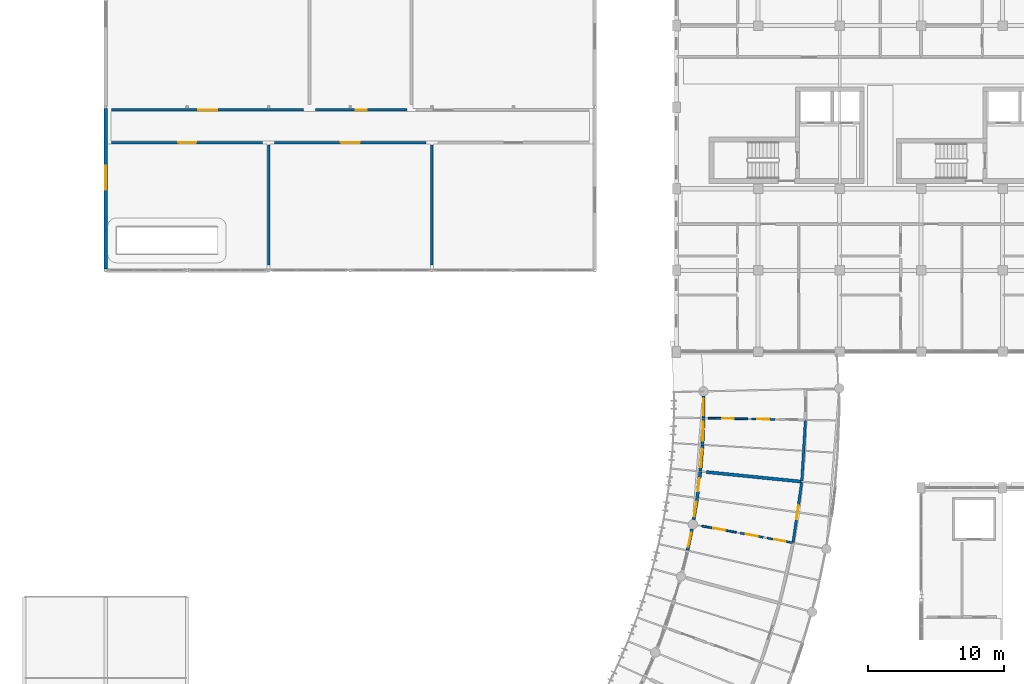
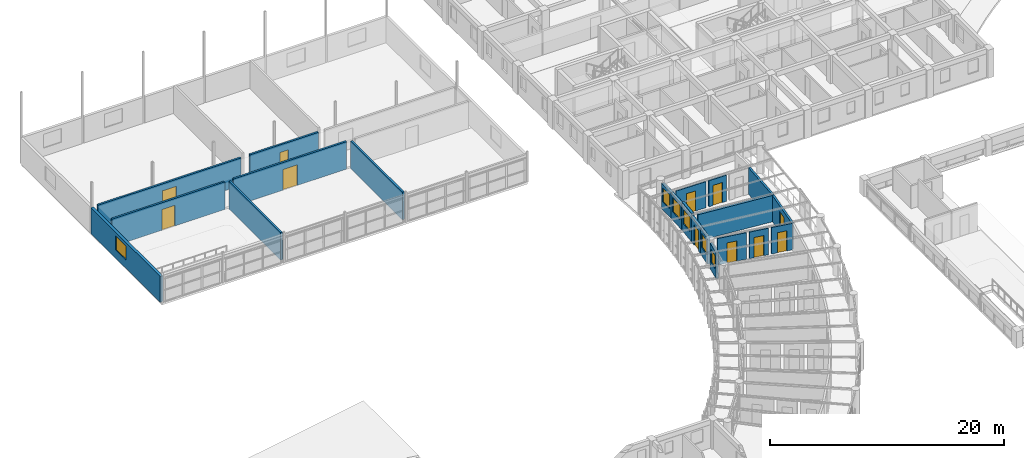
# One storey, part 99 of 137: 21 walls, 11 doors, 6 windows, 17 openings.
"""IFC4 building model written with IfcOpenShell, lengths in metres."""

from ifc_helpers import new_model, si_unit, direction, frame, frame_2d, origin, place, context, subcontext, project, spatial, rectangle, extrude, material, layer, layer_set, type_object, element, fill, save


model = new_model("IFC4")

# Units and contexts
model_context = context("Model", 3, precision=1e-05, world=origin(), true_north=direction((0.0, 1.0)))
body_context = subcontext(model_context, "Body", "Model", "MODEL_VIEW")
ifc_project = project(units=[si_unit("LENGTHUNIT", "METRE"), si_unit("AREAUNIT", "SQUARE_METRE"), si_unit("VOLUMEUNIT", "CUBIC_METRE"), si_unit("PLANEANGLEUNIT", "RADIAN"), si_unit("MASSUNIT", "GRAM", prefix="KILO"), si_unit("POWERUNIT", "WATT"), si_unit("THERMODYNAMICTEMPERATUREUNIT", "KELVIN")], contexts=[model_context])

# Site, building, storey
site_placement = place(None, origin())
site = spatial("IfcSite", under=ifc_project, at=site_placement, CompositionType="ELEMENT")
building_placement = place(site_placement, origin())
building = spatial("IfcBuilding", under=site, at=building_placement, Name="Ruvembo Vaulted Housing Court", CompositionType="ELEMENT")
storey_placement = place(building_placement, frame((0.0, 0.0, 4.5)))
storey = spatial("IfcBuildingStorey", under=building, at=storey_placement, Name="L01", CompositionType="ELEMENT", Elevation=4.5)

# Wall, opening, door
ifc_material_1 = material(Name="Concrete Blockwork 190", Category="masonry")
ifc_layer_1 = layer(ifc_material_1, 0.18994140625, Name="Concrete Blockwork 190")
ifc_layer_set_1 = layer_set([ifc_layer_1], Name="Concrete Blockwork 190")
wall_type_1 = type_object("IfcWallType", Name="WL-CORR-190", PredefinedType="SOLIDWALL", material=ifc_layer_set_1)
wall_1_placement = place(storey_placement, frame((6.43994140625, 93.39990234375, 0.0), z_axis=(0.0, 0.0, 1.0), x_axis=(1.0, 0.0, 0.0)))
wall_1 = element("IfcWall", 1, at=wall_1_placement, inside=storey, type_object=wall_type_1, Name="L01 Nursery Upper Movement Studio WL-INT-L01-00160", PredefinedType="SOLIDWALL", context=body_context, shape_type="SweptSolid", body=[
    extrude(rectangle(XDim=11.1201171875, YDim=0.18994140625, at=frame_2d((5.56005859375, 0.0))), origin(), (0.0, 0.0, 1.0), 2.8720703125),
])
opening_1_placement = place(wall_1_placement, frame((4.909912109375, 0.0, 0.0)))
opening_1 = element("IfcOpeningElement", 2, at=opening_1_placement, cuts=wall_1, Name="Opening CD2", PredefinedType="OPENING", context=body_context, shape_type="SweptSolid", body=[
    extrude(rectangle(XDim=1.300048828125, YDim=2.14990234375, at=frame_2d((0.64990234375, 1.074951171875))), frame((0.0, 0.10498046875, 0.0), z_axis=(0.0, -1.0, 0.0), x_axis=(1.0, 0.0, 0.0)), (0.0, 0.0, 1.0), 0.2099609375),
])
ifc_material_2 = material(Name="FSC Hardwood and Engineered Timber", Category="wood")
door_type_1 = type_object("IfcDoorType", Name="DR-CIVIC-1300x2150", OperationType="NOTDEFINED", PredefinedType="DOOR", material=ifc_material_2)
door_1_placement = place(opening_1_placement, origin())
door_1 = element("IfcDoor", 3, at=door_1_placement, inside=storey, type_object=door_type_1, Name="L01 Nursery Upper Movement Studio Door DR-INT-L01-00077", OperationType="SINGLE_SWING_LEFT", OverallHeight=2.14990234375, OverallWidth=1.300048828125, PredefinedType="DOOR", context=body_context, shape_type="SweptSolid", body=[
    extrude(rectangle(XDim=1.300048828125, YDim=2.14990234375, at=frame_2d((0.64990234375, 1.074951171875))), frame((0.0, 0.02490234375, 0.0), z_axis=(0.0, -1.0, 0.0), x_axis=(1.0, 0.0, 0.0)), (0.0, 0.0, 1.0), 0.050048828125),
])
fill(opening_1, door_1)

# Wall
wall_2_placement = place(storey_placement, frame((18.0, 84.389892578125, 0.0), z_axis=(0.0, 0.0, 1.0), x_axis=(0.0, 1.0, 0.0)))
element("IfcWall", 4, at=wall_2_placement, inside=storey, type_object=wall_type_1, Name="L01 Nursery Upper Movement Studio Div WL-INT-L01-00161", PredefinedType="SOLIDWALL", context=body_context, shape_type="SweptSolid", body=[
    extrude(rectangle(XDim=8.820068359375, YDim=0.18994140625, at=frame_2d((4.41015625, 0.0))), origin(), (0.0, 0.0, 1.0), 2.8720703125),
])

# Wall, opening, door
wall_3_placement = place(storey_placement, frame((18.43994140625, 93.39990234375, 0.0), z_axis=(0.0, 0.0, 1.0), x_axis=(1.0, 0.0, 0.0)))
wall_3 = element("IfcWall", 5, at=wall_3_placement, inside=storey, type_object=wall_type_1, Name="L01 Early Reading & Art Classroom WL-INT-L01-00162", PredefinedType="SOLIDWALL", context=body_context, shape_type="SweptSolid", body=[
    extrude(rectangle(XDim=11.1201171875, YDim=0.18994140625, at=frame_2d((5.56005859375, 0.0))), origin(), (0.0, 0.0, 1.0), 2.8720703125),
])
opening_2_placement = place(wall_3_placement, frame((4.860107421875, 0.0, 0.0)))
opening_2 = element("IfcOpeningElement", 6, at=opening_2_placement, cuts=wall_3, Name="Opening CD1", PredefinedType="OPENING", context=body_context, shape_type="SweptSolid", body=[
    extrude(rectangle(XDim=1.39990234375, YDim=2.14990234375, at=frame_2d((0.699951171875, 1.074951171875))), frame((0.0, 0.10498046875, 0.0), z_axis=(0.0, -1.0, 0.0), x_axis=(1.0, 0.0, 0.0)), (0.0, 0.0, 1.0), 0.2099609375),
])
door_type_2 = type_object("IfcDoorType", Name="DR-CIVIC-1400x2150", OperationType="NOTDEFINED", PredefinedType="DOOR", material=ifc_material_2)
door_2_placement = place(opening_2_placement, origin())
door_2 = element("IfcDoor", 7, at=door_2_placement, inside=storey, type_object=door_type_2, Name="L01 Early Reading & Art Classroom Door DR-INT-L01-00078", OperationType="SINGLE_SWING_RIGHT", OverallHeight=2.14990234375, OverallWidth=1.39990234375, PredefinedType="DOOR", context=body_context, shape_type="SweptSolid", body=[
    extrude(rectangle(XDim=1.39990234375, YDim=2.14990234375, at=frame_2d((0.699951171875, 1.074951171875))), frame((0.0, 0.02490234375, 0.0), z_axis=(0.0, -1.0, 0.0), x_axis=(1.0, 0.0, 0.0)), (0.0, 0.0, 1.0), 0.050048828125),
])
fill(opening_2, door_2)

# Wall
wall_4_placement = place(storey_placement, frame((30.0, 84.389892578125, 0.0), z_axis=(0.0, 0.0, 1.0), x_axis=(0.0, 1.0, 0.0)))
element("IfcWall", 8, at=wall_4_placement, inside=storey, type_object=wall_type_1, Name="L01 Early Reading & Art Classroom Div WL-INT-L01-00163", PredefinedType="SOLIDWALL", context=body_context, shape_type="SweptSolid", body=[
    extrude(rectangle(XDim=8.820068359375, YDim=0.18994140625, at=frame_2d((4.41015625, 0.0))), origin(), (0.0, 0.0, 1.0), 2.8720703125),
])

# Wall, opening, door
wall_5_placement = place(storey_placement, frame((6.43994140625, 95.800048828125, 0.0), z_axis=(0.0, 0.0, 1.0), x_axis=(1.0, 0.0, 0.0)))
wall_5 = element("IfcWall", 9, at=wall_5_placement, inside=storey, type_object=wall_type_1, Name="L01 Educators' Workroom and Clinic WL-INT-L01-00165", PredefinedType="SOLIDWALL", context=body_context, shape_type="SweptSolid", body=[
    extrude(rectangle(XDim=14.1201171875, YDim=0.18994140625, at=frame_2d((7.06005859375, 0.0))), origin(), (0.0, 0.0, 1.0), 2.8720703125),
])
opening_3_placement = place(wall_5_placement, frame((6.360107421875, 0.0, 0.0)))
opening_3 = element("IfcOpeningElement", 10, at=opening_3_placement, cuts=wall_5, Name="Opening CD1", PredefinedType="OPENING", context=body_context, shape_type="SweptSolid", body=[
    extrude(rectangle(XDim=1.39990234375, YDim=2.14990234375, at=frame_2d((0.699951171875, 1.074951171875))), frame((0.0, 0.10498046875, 0.0), z_axis=(0.0, -1.0, 0.0), x_axis=(1.0, 0.0, 0.0)), (0.0, 0.0, 1.0), 0.2099609375),
])
door_3_placement = place(opening_3_placement, origin())
door_3 = element("IfcDoor", 11, at=door_3_placement, inside=storey, type_object=door_type_2, Name="L01 Educators' Workroom and Clinic Door DR-INT-L01-00080", OperationType="SINGLE_SWING_RIGHT", OverallHeight=2.14990234375, OverallWidth=1.39990234375, PredefinedType="DOOR", context=body_context, shape_type="SweptSolid", body=[
    extrude(rectangle(XDim=1.39990234375, YDim=2.14990234375, at=frame_2d((0.699951171875, 1.074951171875))), frame((0.0, 0.02490234375, 0.0), z_axis=(0.0, -1.0, 0.0), x_axis=(1.0, 0.0, 0.0)), (0.0, 0.0, 1.0), 0.050048828125),
])
fill(opening_3, door_3)

wall_6_placement = place(storey_placement, frame((21.43994140625, 95.800048828125, 0.0), z_axis=(0.0, 0.0, 1.0), x_axis=(1.0, 0.0, 0.0)))
wall_6 = element("IfcWall", 12, at=wall_6_placement, inside=storey, type_object=wall_type_1, Name="L01 Staff Accessible WC WL-INT-L01-00167", PredefinedType="SOLIDWALL", context=body_context, shape_type="SweptSolid", body=[
    extrude(rectangle(XDim=6.719970703125, YDim=0.18994140625, at=frame_2d((3.35986328125, 0.0))), origin(), (0.0, 0.0, 1.0), 2.8720703125),
])
opening_4_placement = place(wall_6_placement, frame((2.949951171875, 0.0, 0.0)))
opening_4 = element("IfcOpeningElement", 13, at=opening_4_placement, cuts=wall_6, Name="Opening ID4", PredefinedType="OPENING", context=body_context, shape_type="SweptSolid", body=[
    extrude(rectangle(XDim=0.820068359375, YDim=2.080078125, at=frame_2d((0.41015625, 1.0400390625))), frame((0.0, 0.10498046875, 0.0), z_axis=(0.0, -1.0, 0.0), x_axis=(1.0, 0.0, 0.0)), (0.0, 0.0, 1.0), 0.2099609375),
])
door_type_3 = type_object("IfcDoorType", Name="DR-WET-0820x2080", OperationType="NOTDEFINED", PredefinedType="DOOR", material=ifc_material_2)
door_4_placement = place(opening_4_placement, origin())
door_4 = element("IfcDoor", 14, at=door_4_placement, inside=storey, type_object=door_type_3, Name="L01 Staff Accessible WC Door DR-INT-L01-00081", OperationType="SINGLE_SWING_LEFT", OverallHeight=2.080078125, OverallWidth=0.820068359375, PredefinedType="DOOR", context=body_context, shape_type="SweptSolid", body=[
    extrude(rectangle(XDim=0.820068359375, YDim=2.080078125, at=frame_2d((0.41015625, 1.0400390625))), frame((0.0, 0.02490234375, 0.0), z_axis=(0.0, -1.0, 0.0), x_axis=(1.0, 0.0, 0.0)), (0.0, 0.0, 1.0), 0.050048828125),
])
fill(opening_4, door_4)

wall_7_placement = place(storey_placement, frame((56.587646484375, 63.98779296875, 0.0), z_axis=(0.0, 0.0, 1.0), x_axis=(0.140732688284, 0.990047630394, 0.0)))
wall_7 = element("IfcWall", 15, at=wall_7_placement, inside=storey, type_object=wall_type_1, Name="L01 Suite SC1-L01-U4 Entrance WL-INT-L01-00389", PredefinedType="SOLIDWALL", context=body_context, shape_type="SweptSolid", body=[
    extrude(rectangle(XDim=4.467041015625, YDim=0.18994140625, at=frame_2d((2.2333984375, 0.0))), origin(), (0.0, 0.0, 1.0), 2.721923828125),
])
opening_5_placement = place(wall_7_placement, frame((1.70849609375, 0.0, 0.0)))
opening_5 = element("IfcOpeningElement", 16, at=opening_5_placement, cuts=wall_7, Name="Opening FD3", PredefinedType="OPENING", context=body_context, shape_type="SweptSolid", body=[
    extrude(rectangle(XDim=1.050048828125, YDim=2.14990234375, at=frame_2d((0.52490234375, 1.074951171875))), frame((0.0, 0.10498046875, 0.0), z_axis=(0.0, -1.0, 0.0), x_axis=(1.0, 0.0, 0.0)), (0.0, 0.0, 1.0), 0.2099609375),
])
door_type_4 = type_object("IfcDoorType", Name="DR-FLAT-1050x2150", OperationType="NOTDEFINED", PredefinedType="DOOR", material=ifc_material_2)
door_5_placement = place(opening_5_placement, origin())
door_5 = element("IfcDoor", 17, at=door_5_placement, inside=storey, type_object=door_type_4, Name="L01 Suite SC1-L01-U4 Entrance Door DR-INT-L01-00200", OperationType="SINGLE_SWING_RIGHT", OverallHeight=2.14990234375, OverallWidth=1.050048828125, PredefinedType="DOOR", context=body_context, shape_type="SweptSolid", body=[
    extrude(rectangle(XDim=1.050048828125, YDim=2.14990234375, at=frame_2d((0.52490234375, 1.074951171875))), frame((0.0, 0.02490234375, 0.0), z_axis=(0.0, -1.0, 0.0), x_axis=(1.0, 0.0, 0.0)), (0.0, 0.0, 1.0), 0.050048828125),
])
fill(opening_5, door_5)

# Walls
wall_8_placement = place(storey_placement, frame((57.22412109375, 68.489990234375, 0.0), z_axis=(0.0, 0.0, 1.0), x_axis=(0.059132085895, 0.998250167252, 0.0)))
element("IfcWall", 18, at=wall_8_placement, inside=storey, type_object=wall_type_1, Name="L01 Suite SC1-L01-U5 Gallery Wall WL-INT-L01-00394", PredefinedType="SOLIDWALL", context=body_context, shape_type="SweptSolid", body=[
    extrude(rectangle(XDim=4.46728515625, YDim=0.18994140625, at=frame_2d((2.233642578125, 0.0))), origin(), (0.0, 0.0, 1.0), 2.761962890625),
])
ifc_material_3 = material(Name="Acoustic Masonry Demising 230", Category="masonry")
ifc_layer_2 = layer(ifc_material_3, 0.22998046875, Name="Acoustic Masonry Demising 230")
ifc_layer_set_2 = layer_set([ifc_layer_2], Name="Acoustic Masonry Demising 230")
wall_type_2 = type_object("IfcWallType", Name="WL-DEM-230", PredefinedType="SOLIDWALL", material=ifc_layer_set_2)
wall_9_placement = place(storey_placement, frame((50.197265625, 69.156005859375, 0.0), z_axis=(0.0, 0.0, 1.0), x_axis=(0.994988519083, -0.09998923389, 0.0)))
element("IfcWall", 19, at=wall_9_placement, inside=storey, type_object=wall_type_2, Name="L01 Suite SC1-L01-U4 Demising WL-INT-L01-00393", PredefinedType="SOLIDWALL", context=body_context, shape_type="SweptSolid", body=[
    extrude(rectangle(XDim=7.019775390625, YDim=0.22998046875, at=frame_2d((3.509765625, 0.0))), origin(), (0.0, 0.0, 1.0), 2.741943359375),
])

# Wall, opening, window
ifc_material_4 = material(Name="Rendered Masonry 235", Category="masonry")
ifc_layer_3 = layer(ifc_material_4, 0.235107421875, Name="Rendered Masonry 235")
ifc_layer_set_3 = layer_set([ifc_layer_3], Name="Rendered Masonry 235")
wall_type_3 = type_object("IfcWallType", Name="WL-EXT-235", PredefinedType="STANDARD", material=ifc_layer_set_3)
wall_10_placement = place(storey_placement, frame((48.814453125, 63.3994140625, 0.0), z_axis=(0.0, 0.0, 1.0), x_axis=(0.201199946108, 0.979550193551, 0.0)))
wall_10 = element("IfcWall", 20, at=wall_10_placement, inside=storey, type_object=wall_type_3, Name="Scoop SC1 L01 Concave Balcony Wall 13", PredefinedType="STANDARD", context=body_context, shape_type="SweptSolid", body=[
    extrude(rectangle(XDim=1.596923828125, YDim=0.235107421875, at=frame_2d((0.79833984375, 0.0))), origin(), (0.0, 0.0, 1.0), 2.68408203125),
])
opening_6_placement = place(wall_10_placement, frame((0.2734375, 0.0, 0.85009765625)))
opening_6 = element("IfcOpeningElement", 21, at=opening_6_placement, cuts=wall_10, Name="Opening W09", PredefinedType="OPENING", context=body_context, shape_type="SweptSolid", body=[
    extrude(rectangle(XDim=1.050048828125, YDim=1.35009765625, at=frame_2d((0.52490234375, 0.675048828125))), frame((0.0, 0.12744140625, 0.0), z_axis=(0.0, -1.0, 0.0), x_axis=(1.0, 0.0, 0.0)), (0.0, 0.0, 1.0), 0.255126953125),
])
ifc_material_5 = material(Name="Double Solar-Control Glazing in Aluminium Frame", Category="aluminium")
window_type_1 = type_object("IfcWindowType", Name="WIN-1050x1350", PartitioningType="SINGLE_PANEL", PredefinedType="WINDOW", material=ifc_material_5)
window_1_placement = place(opening_6_placement, origin())
window_1 = element("IfcWindow", 22, at=window_1_placement, inside=storey, type_object=window_type_1, Name="Scoop SC1 L01 Concave Window 13", OverallHeight=1.35009765625, OverallWidth=1.050048828125, PartitioningType="SINGLE_PANEL", PredefinedType="WINDOW", context=body_context, shape_type="SweptSolid", body=[
    extrude(rectangle(XDim=1.050048828125, YDim=1.35009765625, at=frame_2d((0.52490234375, 0.675048828125))), frame((0.0, 0.030029296875, 0.0), z_axis=(0.0, -1.0, 0.0), x_axis=(1.0, 0.0, 0.0)), (0.0, 0.0, 1.0), 0.06005859375),
])
fill(opening_6, window_1)

wall_11_placement = place(storey_placement, frame((49.262451171875, 65.65185546875, 0.0), z_axis=(0.0, 0.0, 1.0), x_axis=(0.16100120568, 0.986954209561, 0.0)))
wall_11 = element("IfcWall", 23, at=wall_11_placement, inside=storey, type_object=wall_type_3, Name="Scoop SC1 L01 Concave Balcony Wall 14", PredefinedType="STANDARD", context=body_context, shape_type="SweptSolid", body=[
    extrude(rectangle(XDim=1.5966796875, YDim=0.235107421875, at=frame_2d((0.79833984375, 0.0))), origin(), (0.0, 0.0, 1.0), 2.68408203125),
])
opening_7_placement = place(wall_11_placement, frame((0.24853515625, 0.0, 0.85009765625)))
opening_7 = element("IfcOpeningElement", 24, at=opening_7_placement, cuts=wall_11, Name="Opening W10", PredefinedType="OPENING", context=body_context, shape_type="SweptSolid", body=[
    extrude(rectangle(XDim=1.10009765625, YDim=1.449951171875, at=frame_2d((0.550048828125, 0.72509765625))), frame((0.0, 0.12744140625, 0.0), z_axis=(0.0, -1.0, 0.0), x_axis=(1.0, 0.0, 0.0)), (0.0, 0.0, 1.0), 0.255126953125),
])
window_type_2 = type_object("IfcWindowType", Name="WIN-1100x1450", PartitioningType="SINGLE_PANEL", PredefinedType="WINDOW", material=ifc_material_5)
window_2_placement = place(opening_7_placement, origin())
window_2 = element("IfcWindow", 25, at=window_2_placement, inside=storey, type_object=window_type_2, Name="Scoop SC1 L01 Concave Window 14", OverallHeight=1.449951171875, OverallWidth=1.10009765625, PartitioningType="SINGLE_PANEL", PredefinedType="WINDOW", context=body_context, shape_type="SweptSolid", body=[
    extrude(rectangle(XDim=1.10009765625, YDim=1.449951171875, at=frame_2d((0.550048828125, 0.72509765625))), frame((0.0, 0.030029296875, 0.0), z_axis=(0.0, -1.0, 0.0), x_axis=(1.0, 0.0, 0.0)), (0.0, 0.0, 1.0), 0.06005859375),
])
fill(opening_7, window_2)

# Wall, opening, door
wall_12_placement = place(storey_placement, frame((49.525146484375, 67.267578125, 0.0), z_axis=(0.0, 0.0, 1.0), x_axis=(0.120384349076, 0.992727358592, 0.0)))
wall_12 = element("IfcWall", 26, at=wall_12_placement, inside=storey, type_object=wall_type_3, Name="Scoop SC1 L01 Concave Balcony Wall 15", PredefinedType="STANDARD", context=body_context, shape_type="SweptSolid", body=[
    extrude(rectangle(XDim=1.926513671875, YDim=0.235107421875, at=frame_2d((0.96337890625, 0.0))), origin(), (0.0, 0.0, 1.0), 2.68408203125),
])
opening_8_placement = place(wall_12_placement, frame((0.48828125, 0.0, 0.0)))
opening_8 = element("IfcOpeningElement", 27, at=opening_8_placement, cuts=wall_12, Name="Opening BD0", PredefinedType="OPENING", context=body_context, shape_type="SweptSolid", body=[
    extrude(rectangle(XDim=0.949951171875, YDim=2.1201171875, at=frame_2d((0.47509765625, 1.06005859375))), frame((0.0, 0.12744140625, 0.0), z_axis=(0.0, -1.0, 0.0), x_axis=(1.0, 0.0, 0.0)), (0.0, 0.0, 1.0), 0.255126953125),
])
ifc_material_6 = material(Name="Thermally Broken Glazed Aluminium", Category="aluminium")
door_type_5 = type_object("IfcDoorType", Name="DR-BAL-0950x2120", OperationType="NOTDEFINED", PredefinedType="DOOR", material=ifc_material_6)
door_6_placement = place(opening_8_placement, origin())
door_6 = element("IfcDoor", 28, at=door_6_placement, inside=storey, type_object=door_type_5, Name="Scoop SC1 L01 Balcony Door 15", OperationType="SINGLE_SWING_LEFT", OverallHeight=2.1201171875, OverallWidth=0.949951171875, PredefinedType="DOOR", context=body_context, shape_type="SweptSolid", body=[
    extrude(rectangle(XDim=0.949951171875, YDim=2.1201171875, at=frame_2d((0.47509765625, 1.06005859375))), frame((0.0, 0.02490234375, 0.0), z_axis=(0.0, -1.0, 0.0), x_axis=(1.0, 0.0, 0.0)), (0.0, 0.0, 1.0), 0.050048828125),
])
fill(opening_8, door_6)

# Wall, opening, window
wall_13_placement = place(storey_placement, frame((49.760986328125, 69.219970703125, 0.0), z_axis=(0.0, 0.0, 1.0), x_axis=(0.079573991137, 0.996828962227, 0.0)))
wall_13 = element("IfcWall", 29, at=wall_13_placement, inside=storey, type_object=wall_type_3, Name="Scoop SC1 L01 Concave Balcony Wall 16", PredefinedType="STANDARD", context=body_context, shape_type="SweptSolid", body=[
    extrude(rectangle(XDim=1.9267578125, YDim=0.235107421875, at=frame_2d((0.96337890625, 0.0))), origin(), (0.0, 0.0, 1.0), 2.947998046875),
])
opening_9_placement = place(wall_13_placement, frame((0.28857421875, 0.0, 0.85009765625)))
opening_9 = element("IfcOpeningElement", 30, at=opening_9_placement, cuts=wall_13, Name="Opening W16", PredefinedType="OPENING", context=body_context, shape_type="SweptSolid", body=[
    extrude(rectangle(XDim=1.35009765625, YDim=1.5, at=frame_2d((0.675048828125, 0.75))), frame((0.0, 0.12744140625, 0.0), z_axis=(0.0, -1.0, 0.0), x_axis=(1.0, 0.0, 0.0)), (0.0, 0.0, 1.0), 0.255126953125),
])
window_type_3 = type_object("IfcWindowType", Name="WIN-1350x1500", PartitioningType="SINGLE_PANEL", PredefinedType="WINDOW", material=ifc_material_5)
window_3_placement = place(opening_9_placement, origin())
window_3 = element("IfcWindow", 31, at=window_3_placement, inside=storey, type_object=window_type_3, Name="Scoop SC1 L01 Concave Window 16", OverallHeight=1.5, OverallWidth=1.35009765625, PartitioningType="SINGLE_PANEL", PredefinedType="WINDOW", context=body_context, shape_type="SweptSolid", body=[
    extrude(rectangle(XDim=1.35009765625, YDim=1.5, at=frame_2d((0.675048828125, 0.75))), frame((0.0, 0.030029296875, 0.0), z_axis=(0.0, -1.0, 0.0), x_axis=(1.0, 0.0, 0.0)), (0.0, 0.0, 1.0), 0.06005859375),
])
fill(opening_9, window_3)

wall_14_placement = place(storey_placement, frame((49.916748046875, 71.1806640625, 0.0), z_axis=(0.0, 0.0, 1.0), x_axis=(0.038647240614, 0.999252916329, 0.0)))
wall_14 = element("IfcWall", 32, at=wall_14_placement, inside=storey, type_object=wall_type_3, Name="Scoop SC1 L01 Concave Balcony Wall 17", PredefinedType="STANDARD", context=body_context, shape_type="SweptSolid", body=[
    extrude(rectangle(XDim=1.9267578125, YDim=0.235107421875, at=frame_2d((0.96337890625, 0.0))), origin(), (0.0, 0.0, 1.0), 2.68408203125),
])
opening_10_placement = place(wall_14_placement, frame((0.263427734375, 0.0, 0.85009765625)))
opening_10 = element("IfcOpeningElement", 33, at=opening_10_placement, cuts=wall_14, Name="Opening W17", PredefinedType="OPENING", context=body_context, shape_type="SweptSolid", body=[
    extrude(rectangle(XDim=1.39990234375, YDim=1.5, at=frame_2d((0.699951171875, 0.75))), frame((0.0, 0.12744140625, 0.0), z_axis=(0.0, -1.0, 0.0), x_axis=(1.0, 0.0, 0.0)), (0.0, 0.0, 1.0), 0.255126953125),
])
window_type_4 = type_object("IfcWindowType", Name="WIN-1400x1500", PartitioningType="SINGLE_PANEL", PredefinedType="WINDOW", material=ifc_material_5)
window_4_placement = place(opening_10_placement, origin())
window_4 = element("IfcWindow", 34, at=window_4_placement, inside=storey, type_object=window_type_4, Name="Scoop SC1 L01 Concave Window 17", OverallHeight=1.5, OverallWidth=1.39990234375, PartitioningType="SINGLE_PANEL", PredefinedType="WINDOW", context=body_context, shape_type="SweptSolid", body=[
    extrude(rectangle(XDim=1.39990234375, YDim=1.5, at=frame_2d((0.699951171875, 0.75))), frame((0.0, 0.030029296875, 0.0), z_axis=(0.0, -1.0, 0.0), x_axis=(1.0, 0.0, 0.0)), (0.0, 0.0, 1.0), 0.06005859375),
])
fill(opening_10, window_4)

wall_15_placement = place(storey_placement, frame((49.991943359375, 73.14599609375, 0.0), z_axis=(0.0, 0.0, 1.0), x_axis=(-0.002293571949, 0.99999736976, 0.0)))
wall_15 = element("IfcWall", 35, at=wall_15_placement, inside=storey, type_object=wall_type_3, Name="Scoop SC1 L01 Concave Balcony Wall 18", PredefinedType="STANDARD", context=body_context, shape_type="SweptSolid", body=[
    extrude(rectangle(XDim=1.5966796875, YDim=0.235107421875, at=frame_2d((0.79833984375, 0.0))), origin(), (0.0, 0.0, 1.0), 2.68408203125),
])
opening_11_placement = place(wall_15_placement, frame((0.198486328125, 0.0, 0.85009765625)))
opening_11 = element("IfcOpeningElement", 36, at=opening_11_placement, cuts=wall_15, Name="Opening W13", PredefinedType="OPENING", context=body_context, shape_type="SweptSolid", body=[
    extrude(rectangle(XDim=1.199951171875, YDim=1.449951171875, at=frame_2d((0.60009765625, 0.72509765625))), frame((0.0, 0.12744140625, 0.0), z_axis=(0.0, -1.0, 0.0), x_axis=(1.0, 0.0, 0.0)), (0.0, 0.0, 1.0), 0.255126953125),
])
window_type_5 = type_object("IfcWindowType", Name="WIN-1200x1450", PartitioningType="SINGLE_PANEL", PredefinedType="WINDOW", material=ifc_material_5)
window_5_placement = place(opening_11_placement, origin())
window_5 = element("IfcWindow", 37, at=window_5_placement, inside=storey, type_object=window_type_5, Name="Scoop SC1 L01 Concave Window 18", OverallHeight=1.449951171875, OverallWidth=1.199951171875, PartitioningType="SINGLE_PANEL", PredefinedType="WINDOW", context=body_context, shape_type="SweptSolid", body=[
    extrude(rectangle(XDim=1.199951171875, YDim=1.449951171875, at=frame_2d((0.60009765625, 0.72509765625))), frame((0.0, 0.030029296875, 0.0), z_axis=(0.0, -1.0, 0.0), x_axis=(1.0, 0.0, 0.0)), (0.0, 0.0, 1.0), 0.06005859375),
])
fill(opening_11, window_5)

ifc_material_7 = material(Name="Rendered Masonry 260", Category="masonry")
ifc_layer_4 = layer(ifc_material_7, 0.260009765625, Name="Rendered Masonry 260")
ifc_layer_set_4 = layer_set([ifc_layer_4], Name="Rendered Masonry 260")
wall_type_4 = type_object("IfcWallType", Name="WL-EXT-260", PredefinedType="STANDARD", material=ifc_layer_set_4)
wall_16_placement = place(storey_placement, frame((6.0, 95.909912109375, 0.0), z_axis=(0.0, 0.0, 1.0), x_axis=(0.0, -1.0, 0.0)))
wall_16 = element("IfcWall", 38, at=wall_16_placement, inside=storey, type_object=wall_type_4, Name="Nursery W Wall L01 #1", PredefinedType="STANDARD", context=body_context, shape_type="SweptSolid", body=[
    extrude(rectangle(XDim=11.81982421875, YDim=0.260009765625, at=frame_2d((5.909912109375, 0.0))), origin(), (0.0, 0.0, 1.0), 2.699951171875),
])
opening_12_placement = place(wall_16_placement, frame((4.199951171875, 0.0, 0.85009765625)))
opening_12 = element("IfcOpeningElement", 39, at=opening_12_placement, cuts=wall_16, Name="Opening W22", PredefinedType="OPENING", context=body_context, shape_type="SweptSolid", body=[
    extrude(rectangle(XDim=1.800048828125, YDim=1.449951171875, at=frame_2d((0.89990234375, 0.72509765625))), frame((0.0, 0.139892578125, 0.0), z_axis=(0.0, -1.0, 0.0), x_axis=(1.0, 0.0, 0.0)), (0.0, 0.0, 1.0), 0.280029296875),
])
window_type_6 = type_object("IfcWindowType", Name="WIN-1800x1450", PartitioningType="SINGLE_PANEL", PredefinedType="WINDOW", material=ifc_material_5)
window_6_placement = place(opening_12_placement, origin())
window_6 = element("IfcWindow", 40, at=window_6_placement, inside=storey, type_object=window_type_6, Name="Nursery W Window L01 #1", OverallHeight=1.449951171875, OverallWidth=1.800048828125, PartitioningType="SINGLE_PANEL", PredefinedType="WINDOW", context=body_context, shape_type="SweptSolid", body=[
    extrude(rectangle(XDim=1.800048828125, YDim=1.449951171875, at=frame_2d((0.89990234375, 0.72509765625))), frame((0.0, 0.030029296875, 0.0), z_axis=(0.0, -1.0, 0.0), x_axis=(1.0, 0.0, 0.0)), (0.0, 0.0, 1.0), 0.06005859375),
])
fill(opening_12, window_6)

# Wall, opening, door
ifc_material_8 = material(Name="Acoustic Stud Partition 135", Category="gypsum")
ifc_layer_5 = layer(ifc_material_8, 0.135009765625, Name="Acoustic Stud Partition 135")
ifc_layer_set_5 = layer_set([ifc_layer_5], Name="Acoustic Stud Partition 135")
wall_type_5 = type_object("IfcWallType", Name="WL-PART-135", PredefinedType="PARTITIONING", material=ifc_layer_set_5)
wall_17_placement = place(storey_placement, frame((49.855224609375, 65.18701171875, 0.0), z_axis=(0.0, 0.0, 1.0), x_axis=(0.983443502225, -0.181215004706, 0.0)))
wall_17 = element("IfcWall", 41, at=wall_17_placement, inside=storey, type_object=wall_type_5, Name="L01 Suite SC1-L01-U4 Bedroom WL-INT-L01-00390", PredefinedType="PARTITIONING", context=body_context, shape_type="SweptSolid", body=[
    extrude(rectangle(XDim=2.60009765625, YDim=0.135009765625, at=frame_2d((1.300048828125, 0.0))), origin(), (0.0, 0.0, 1.0), 2.761962890625),
])
opening_13_placement = place(wall_17_placement, frame((0.860107421875, 0.0, 0.0)))
opening_13 = element("IfcOpeningElement", 42, at=opening_13_placement, cuts=wall_17, Name="Opening ID3", PredefinedType="OPENING", context=body_context, shape_type="SweptSolid", body=[
    extrude(rectangle(XDim=0.8798828125, YDim=2.10009765625, at=frame_2d((0.43994140625, 1.050048828125))), frame((0.0, 0.077392578125, 0.0), z_axis=(0.0, -1.0, 0.0), x_axis=(1.0, 0.0, 0.0)), (0.0, 0.0, 1.0), 0.155029296875),
])
door_type_6 = type_object("IfcDoorType", Name="DR-ROOM-0880x2100", OperationType="NOTDEFINED", PredefinedType="DOOR", material=ifc_material_2)
door_7_placement = place(opening_13_placement, origin())
door_7 = element("IfcDoor", 43, at=door_7_placement, inside=storey, type_object=door_type_6, Name="L01 Suite SC1-L01-U4 Bedroom Door DR-INT-L01-00201", OperationType="SINGLE_SWING_LEFT", OverallHeight=2.10009765625, OverallWidth=0.8798828125, PredefinedType="DOOR", context=body_context, shape_type="SweptSolid", body=[
    extrude(rectangle(XDim=0.8798828125, YDim=2.10009765625, at=frame_2d((0.43994140625, 1.050048828125))), frame((0.0, 0.02490234375, 0.0), z_axis=(0.0, -1.0, 0.0), x_axis=(1.0, 0.0, 0.0)), (0.0, 0.0, 1.0), 0.050048828125),
])
fill(opening_13, door_7)

wall_18_placement = place(storey_placement, frame((50.33203125, 73.11962890625, 0.0), z_axis=(0.0, 0.0, 1.0), x_axis=(0.999833866331, -0.018227444628, 0.0)))
wall_18 = element("IfcWall", 44, at=wall_18_placement, inside=storey, type_object=wall_type_5, Name="L01 Suite SC1-L01-U5 Bedroom WL-INT-L01-00396", PredefinedType="PARTITIONING", context=body_context, shape_type="SweptSolid", body=[
    extrude(rectangle(XDim=2.919921875, YDim=0.135009765625, at=frame_2d((1.4599609375, 0.0))), origin(), (0.0, 0.0, 1.0), 2.721923828125),
])
opening_14_placement = place(wall_18_placement, frame((1.02001953125, 0.0, 0.0)))
opening_14 = element("IfcOpeningElement", 45, at=opening_14_placement, cuts=wall_18, Name="Opening ID3", PredefinedType="OPENING", context=body_context, shape_type="SweptSolid", body=[
    extrude(rectangle(XDim=0.8798828125, YDim=2.10009765625, at=frame_2d((0.43994140625, 1.050048828125))), frame((0.0, 0.077392578125, 0.0), z_axis=(0.0, -1.0, 0.0), x_axis=(1.0, 0.0, 0.0)), (0.0, 0.0, 1.0), 0.155029296875),
])
door_8_placement = place(opening_14_placement, origin())
door_8 = element("IfcDoor", 46, at=door_8_placement, inside=storey, type_object=door_type_6, Name="L01 Suite SC1-L01-U5 Bedroom Door DR-INT-L01-00205", OperationType="SINGLE_SWING_LEFT", OverallHeight=2.10009765625, OverallWidth=0.8798828125, PredefinedType="DOOR", context=body_context, shape_type="SweptSolid", body=[
    extrude(rectangle(XDim=0.8798828125, YDim=2.10009765625, at=frame_2d((0.43994140625, 1.050048828125))), frame((0.0, 0.02490234375, 0.0), z_axis=(0.0, -1.0, 0.0), x_axis=(1.0, 0.0, 0.0)), (0.0, 0.0, 1.0), 0.050048828125),
])
fill(opening_14, door_8)

ifc_material_9 = material(Name="Moisture-Resistant Wet Partition 150", Category="gypsum")
ifc_layer_6 = layer(ifc_material_9, 0.14990234375, Name="Moisture-Resistant Wet Partition 150")
ifc_layer_set_6 = layer_set([ifc_layer_6], Name="Moisture-Resistant Wet Partition 150")
wall_type_6 = type_object("IfcWallType", Name="WL-PART-150", PredefinedType="PARTITIONING", material=ifc_layer_set_6)
wall_19_placement = place(storey_placement, frame((54.654541015625, 64.302978515625, 0.0), z_axis=(0.0, 0.0, 1.0), x_axis=(0.983468686283, -0.181078278933, 0.0)))
wall_19 = element("IfcWall", 47, at=wall_19_placement, inside=storey, type_object=wall_type_6, Name="L01 Suite SC1-L01-U4 Bathroom WL-INT-L01-00392", PredefinedType="PARTITIONING", context=body_context, shape_type="SweptSolid", body=[
    extrude(rectangle(XDim=1.919921875, YDim=0.14990234375, at=frame_2d((0.9599609375, 0.0))), origin(), (0.0, 0.0, 1.0), 2.761962890625),
])
opening_15_placement = place(wall_19_placement, frame((0.534912109375, 0.0, 0.0)))
opening_15 = element("IfcOpeningElement", 48, at=opening_15_placement, cuts=wall_19, Name="Opening ID2", PredefinedType="OPENING", context=body_context, shape_type="SweptSolid", body=[
    extrude(rectangle(XDim=0.85009765625, YDim=2.10009765625, at=frame_2d((0.425048828125, 1.050048828125))), frame((0.0, 0.0849609375, 0.0), z_axis=(0.0, -1.0, 0.0), x_axis=(1.0, 0.0, 0.0)), (0.0, 0.0, 1.0), 0.169921875),
])
door_type_7 = type_object("IfcDoorType", Name="DR-WET-0850x2100", OperationType="NOTDEFINED", PredefinedType="DOOR", material=ifc_material_2)
door_9_placement = place(opening_15_placement, origin())
door_9 = element("IfcDoor", 49, at=door_9_placement, inside=storey, type_object=door_type_7, Name="L01 Suite SC1-L01-U4 Bathroom Door DR-INT-L01-00203", OperationType="SINGLE_SWING_LEFT", OverallHeight=2.10009765625, OverallWidth=0.85009765625, PredefinedType="DOOR", context=body_context, shape_type="SweptSolid", body=[
    extrude(rectangle(XDim=0.85009765625, YDim=2.10009765625, at=frame_2d((0.425048828125, 1.050048828125))), frame((0.0, 0.02490234375, 0.0), z_axis=(0.0, -1.0, 0.0), x_axis=(1.0, 0.0, 0.0)), (0.0, 0.0, 1.0), 0.050048828125),
])
fill(opening_15, door_9)

ifc_material_10 = material(Name="Acoustic Service Chase Wall 160", Category="gypsum")
ifc_layer_7 = layer(ifc_material_10, 0.159912109375, Name="Acoustic Service Chase Wall 160")
ifc_layer_set_7 = layer_set([ifc_layer_7], Name="Acoustic Service Chase Wall 160")
wall_type_7 = type_object("IfcWallType", Name="WL-PLUMB-160", PredefinedType="PLUMBINGWALL", material=ifc_layer_set_7)
wall_20_placement = place(storey_placement, frame((52.6875, 64.665283203125, 0.0), z_axis=(0.0, 0.0, 1.0), x_axis=(0.983463169084, -0.181108241269, 0.0)))
wall_20 = element("IfcWall", 50, at=wall_20_placement, inside=storey, type_object=wall_type_7, Name="L01 Suite SC1-L01-U4 Kitchen WL-INT-L01-00391", PredefinedType="PLUMBINGWALL", context=body_context, shape_type="SweptSolid", body=[
    extrude(rectangle(XDim=1.72021484375, YDim=0.159912109375, at=frame_2d((0.860107421875, 0.0))), origin(), (0.0, 0.0, 1.0), 2.761962890625),
])
opening_16_placement = place(wall_20_placement, frame((0.409912109375, 0.0, 0.0)))
opening_16 = element("IfcOpeningElement", 51, at=opening_16_placement, cuts=wall_20, Name="Opening ID1", PredefinedType="OPENING", context=body_context, shape_type="SweptSolid", body=[
    extrude(rectangle(XDim=0.89990234375, YDim=2.10009765625, at=frame_2d((0.449951171875, 1.050048828125))), frame((0.0, 0.08984375, 0.0), z_axis=(0.0, -1.0, 0.0), x_axis=(1.0, 0.0, 0.0)), (0.0, 0.0, 1.0), 0.179931640625),
])
door_type_8 = type_object("IfcDoorType", Name="DR-ROOM-0900x2100", OperationType="NOTDEFINED", PredefinedType="DOOR", material=ifc_material_2)
door_10_placement = place(opening_16_placement, origin())
door_10 = element("IfcDoor", 52, at=door_10_placement, inside=storey, type_object=door_type_8, Name="L01 Suite SC1-L01-U4 Kitchen Door DR-INT-L01-00202", OperationType="SINGLE_SWING_RIGHT", OverallHeight=2.10009765625, OverallWidth=0.89990234375, PredefinedType="DOOR", context=body_context, shape_type="SweptSolid", body=[
    extrude(rectangle(XDim=0.89990234375, YDim=2.10009765625, at=frame_2d((0.449951171875, 1.050048828125))), frame((0.0, 0.02490234375, 0.0), z_axis=(0.0, -1.0, 0.0), x_axis=(1.0, 0.0, 0.0)), (0.0, 0.0, 1.0), 0.050048828125),
])
fill(opening_16, door_10)

wall_21_placement = place(storey_placement, frame((53.531494140625, 73.0615234375, 0.0), z_axis=(0.0, 0.0, 1.0), x_axis=(0.999832350792, -0.018310388026, 0.0)))
wall_21 = element("IfcWall", 53, at=wall_21_placement, inside=storey, type_object=wall_type_7, Name="L01 Suite SC1-L01-U5 Kitchen WL-INT-L01-00397", PredefinedType="PLUMBINGWALL", context=body_context, shape_type="SweptSolid", body=[
    extrude(rectangle(XDim=1.719970703125, YDim=0.159912109375, at=frame_2d((0.85986328125, 0.0))), origin(), (0.0, 0.0, 1.0), 2.721923828125),
])
opening_17_placement = place(wall_21_placement, frame((0.409912109375, 0.0, 0.0)))
opening_17 = element("IfcOpeningElement", 54, at=opening_17_placement, cuts=wall_21, Name="Opening ID1", PredefinedType="OPENING", context=body_context, shape_type="SweptSolid", body=[
    extrude(rectangle(XDim=0.89990234375, YDim=2.10009765625, at=frame_2d((0.449951171875, 1.050048828125))), frame((0.0, 0.08984375, 0.0), z_axis=(0.0, -1.0, 0.0), x_axis=(1.0, 0.0, 0.0)), (0.0, 0.0, 1.0), 0.179931640625),
])
door_11_placement = place(opening_17_placement, origin())
door_11 = element("IfcDoor", 55, at=door_11_placement, inside=storey, type_object=door_type_8, Name="L01 Suite SC1-L01-U5 Kitchen Door DR-INT-L01-00206", OperationType="SINGLE_SWING_RIGHT", OverallHeight=2.10009765625, OverallWidth=0.89990234375, PredefinedType="DOOR", context=body_context, shape_type="SweptSolid", body=[
    extrude(rectangle(XDim=0.89990234375, YDim=2.10009765625, at=frame_2d((0.449951171875, 1.050048828125))), frame((0.0, 0.02490234375, 0.0), z_axis=(0.0, -1.0, 0.0), x_axis=(1.0, 0.0, 0.0)), (0.0, 0.0, 1.0), 0.050048828125),
])
fill(opening_17, door_11)

save(model, "model.ifc")
